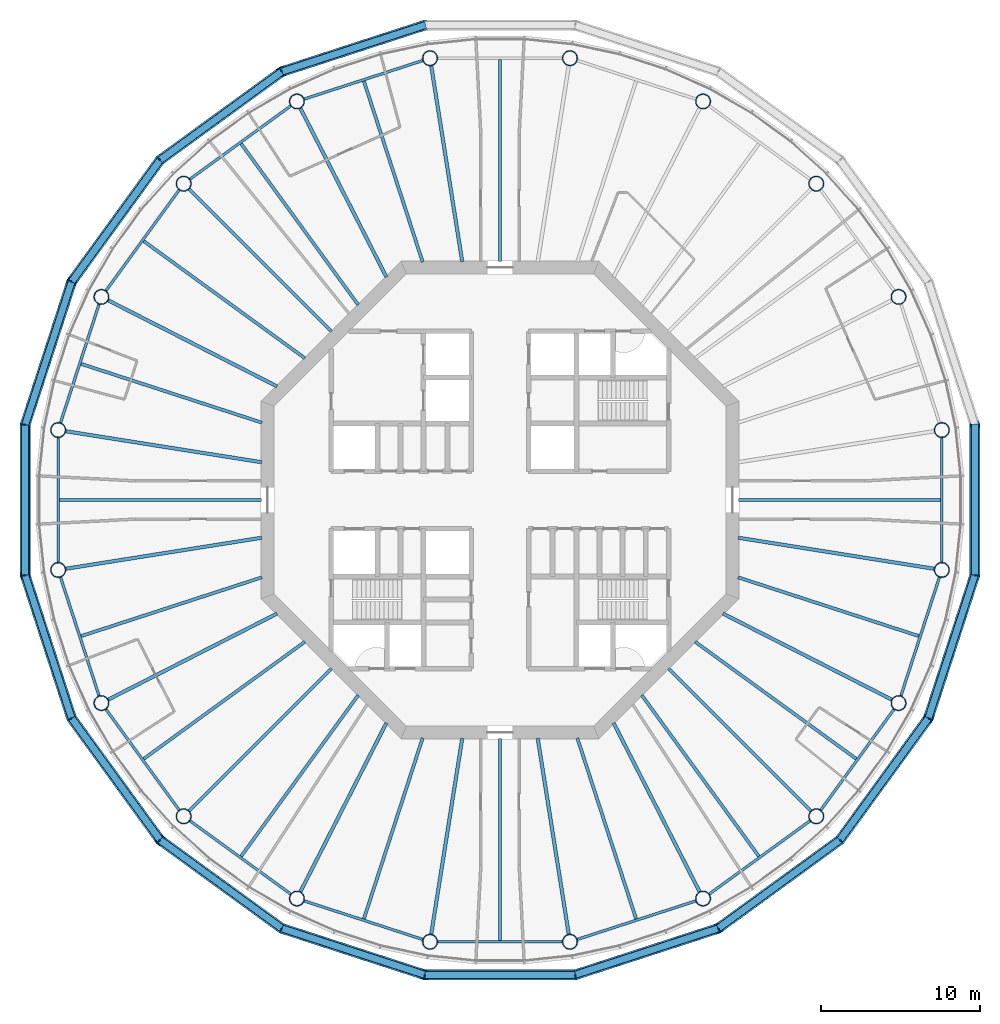
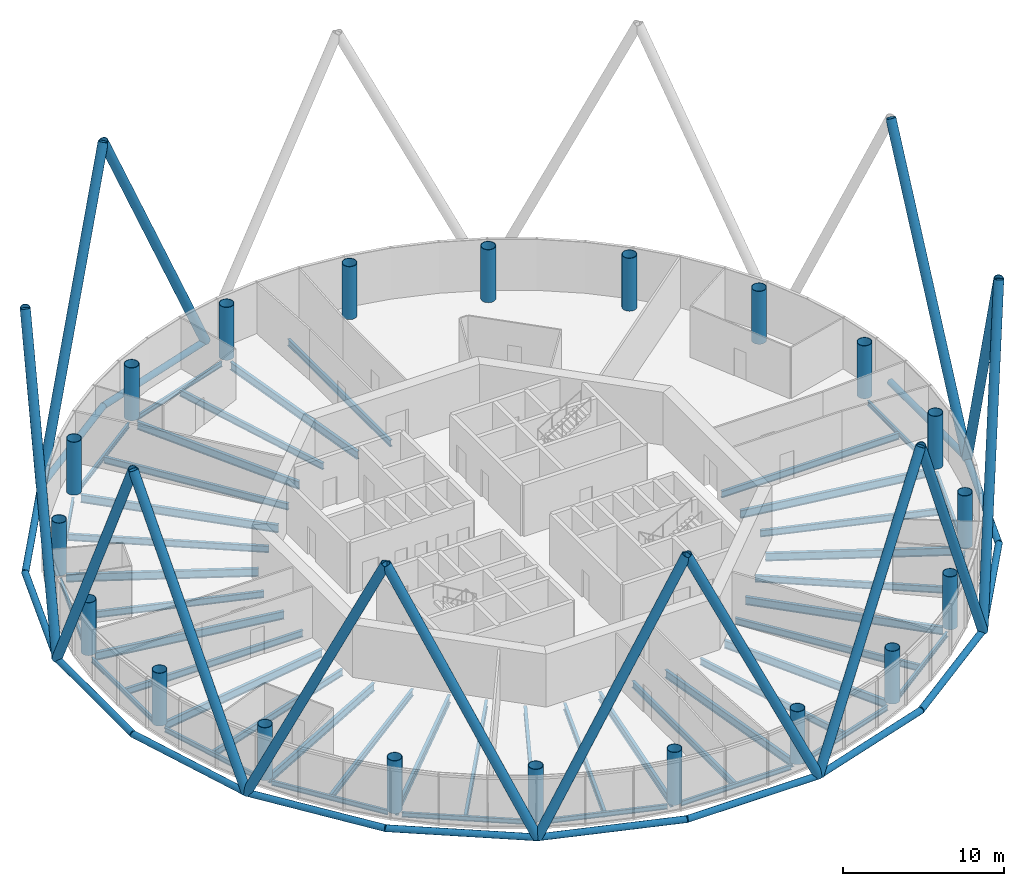
# One storey, part 1 of 13: 46 beams, 30 members, 20 columns.
"""IFC4 building model written with IfcOpenShell, lengths in metres."""

import ifcopenshell
import ifcopenshell.guid

model = None  # the IFC model being written
_history = None  # IfcOwnerHistory: only IFC2X3 demands one
_inside = {}  # id of a spatial element -> (the spatial element, [elements in it])
_under = {}  # id of a project, library or spatial element -> (it, [spatial elements below it])
_declared = {}  # id of a project -> (the project, [libraries it declares])
_typed = {}  # id of a type object -> (the type object, [elements of that type])
_made_of = {}  # id of a material, layer set ... -> (it, [elements and type objects made of it])


def new_model(schema):
    """Start an empty IFC model of exactly this schema.

    Asked for "IFC4X3", IfcOpenShell would pick the latest addendum, in which some entities
    have other attributes; the version numbers below select the first issue.
    IFC2X3 requires an IfcOwnerHistory on every rooted entity: one is made here for all.
    """
    global model, _history
    if schema == "IFC4X3":
        model = ifcopenshell.file(schema_version=(4, 3, 0, 0))
    else:
        model = ifcopenshell.file(schema=schema)
    _inside.clear()
    _under.clear()
    _declared.clear()
    _typed.clear()
    _made_of.clear()
    _history = None
    if model.schema == "IFC2X3":
        org = make("IfcOrganization", Name="unknown")
        user = make(
            "IfcPersonAndOrganization",
            ThePerson=make("IfcPerson", FamilyName="unknown"),
            TheOrganization=org,
        )
        app = make(
            "IfcApplication",
            ApplicationDeveloper=org,
            Version="unknown",
            ApplicationFullName="unknown",
            ApplicationIdentifier="unknown",
        )
        _history = make(
            "IfcOwnerHistory",
            OwningUser=user,
            OwningApplication=app,
            ChangeAction="ADDED",
            CreationDate=0,
        )
    return model


def make(cls, **values):
    """One entity of the class cls with the attributes given. An attribute that is None is left unset."""
    return model.create_entity(
        cls, **{name: value for name, value in values.items() if value is not None}
    )


def rooted(cls, **values):
    """An entity with a GlobalId (a new one), such as an element, a storey or a relation."""
    return make(cls, GlobalId=ifcopenshell.guid.new(), OwnerHistory=_history, **values)


def si_unit(unit_type, name, prefix=None):
    """IfcSIUnit, for example si_unit("LENGTHUNIT", "METRE", prefix="MILLI")."""
    return make("IfcSIUnit", UnitType=unit_type, Prefix=prefix, Name=name)


def assignment(units):
    """IfcUnitAssignment: the units of a project."""
    return None if units is None else make("IfcUnitAssignment", Units=units)


def point(xyz):
    """IfcCartesianPoint."""
    return None if xyz is None else make("IfcCartesianPoint", Coordinates=xyz)


def direction(xyz):
    """IfcDirection."""
    return None if xyz is None else make("IfcDirection", DirectionRatios=xyz)


def frame(location, z_axis=None, x_axis=None):
    """IfcAxis2Placement3D, a coordinate frame: its origin and axes. An axis left out is left unset."""
    return make(
        "IfcAxis2Placement3D",
        Location=point(location),
        Axis=direction(z_axis),
        RefDirection=direction(x_axis),
    )


def frame_2d(location, x_axis=None):
    """IfcAxis2Placement2D, a coordinate frame in the plane: its origin and x axis."""
    return make(
        "IfcAxis2Placement2D", Location=point(location), RefDirection=direction(x_axis)
    )


def origin():
    """The frame at (0, 0, 0) with its axes left unset."""
    return frame((0.0, 0.0, 0.0))


def origin_2d():
    """The frame at (0, 0) in the plane with its x axis left unset."""
    return frame_2d((0.0, 0.0))


def place(relative_to, where):
    """IfcLocalPlacement: puts the frame where relative to a parent placement (None: the world)."""
    return make(
        "IfcLocalPlacement", PlacementRelTo=relative_to, RelativePlacement=where
    )


def context(
    kind, dimensions, precision=None, world=None, true_north=None, identifier=None
):
    """IfcGeometricRepresentationContext, for example the 3D "Model" context."""
    return make(
        "IfcGeometricRepresentationContext",
        ContextIdentifier=identifier,
        ContextType=kind,
        CoordinateSpaceDimension=dimensions,
        Precision=precision,
        WorldCoordinateSystem=world,
        TrueNorth=true_north,
    )


def subcontext(parent, identifier, kind, view, scale=None):
    """IfcGeometricRepresentationSubContext, for example "Body" below "Model"."""
    return make(
        "IfcGeometricRepresentationSubContext",
        ContextIdentifier=identifier,
        ContextType=kind,
        ParentContext=parent,
        TargetScale=scale,
        TargetView=view,
    )


def project(units=None, contexts=None):
    """IfcProject with its units and contexts."""
    return rooted(
        "IfcProject",
        Name="project",
        RepresentationContexts=contexts,
        UnitsInContext=assignment(units),
    )


def spatial(cls, under=None, at=None, **own):
    """A site, building, storey or space (cls), placed at a placement, below another one or the project."""
    s = rooted(cls, ObjectPlacement=at, **own)
    if under is not None:
        _under.setdefault(under.id(), (under, []))[1].append(s)
    return s


def profile(cls, at=None, kind="AREA", **sizes):
    """A parametric profile (cls). Its sizes go by their IFC names, for example OverallWidth=200.0."""
    return make(cls, ProfileType=kind, Position=at, **sizes)


def circle(**sizes):
    """IfcCircleProfileDef."""
    return profile("IfcCircleProfileDef", **sizes)


def hollow_circle(**sizes):
    """IfcCircleHollowProfileDef."""
    return profile("IfcCircleHollowProfileDef", **sizes)


def i_section(**sizes):
    """IfcIShapeProfileDef."""
    return profile("IfcIShapeProfileDef", **sizes)


def extrude(swept, where, along, depth):
    """IfcExtrudedAreaSolid: the profile swept, set in the frame where, extruded along a direction by depth."""
    return make(
        "IfcExtrudedAreaSolid",
        SweptArea=swept,
        Position=where,
        ExtrudedDirection=direction(along),
        Depth=depth,
    )


def shape(context_of_items, identifier, shape_type, items):
    """IfcShapeRepresentation: the items that make up one representation, for example the "Body"."""
    return make(
        "IfcShapeRepresentation",
        ContextOfItems=context_of_items,
        RepresentationIdentifier=identifier,
        RepresentationType=shape_type,
        Items=items,
    )


def material(Name=None, Category=None):
    """IfcMaterial."""
    return make("IfcMaterial", Name=Name, Category=Category)


def material_profile(
    of_material, cross_section, Name=None, Category=None, Priority=None
):
    """IfcMaterialProfile: a cross section and its material."""
    return make(
        "IfcMaterialProfile",
        Name=Name,
        Material=of_material,
        Profile=cross_section,
        Priority=Priority,
        Category=Category,
    )


def profile_set(profiles, Name=None, composite=None):
    """IfcMaterialProfileSet."""
    return make(
        "IfcMaterialProfileSet",
        Name=Name,
        MaterialProfiles=profiles,
        CompositeProfile=composite,
    )


def made_of(thing, what):
    """Note that an element or type object is made of a material, layer set ...; save() writes the relation."""
    if what is not None:
        _made_of.setdefault(what.id(), (what, []))[1].append(thing)
    return thing


def type_object(cls, material=None, **own):
    """A type object (cls), such as IfcWallType, which elements share."""
    return made_of(rooted(cls, **own), material)


def element(
    cls,
    number,
    at=None,
    inside=None,
    cuts=None,
    type_object=None,
    material=None,
    context=None,
    identifier="Body",
    shape_type=None,
    held_by="IfcProductDefinitionShape",
    body=None,
    shapes=None,
    **own,
):
    """One element of the class cls, such as IfcWall. Its Tag is "e" and its number.

    at: its placement. inside: the storey or other place that contains it. cuts: it is an
    opening in that element (IfcRelVoidsElement). A single representation is given by context,
    identifier, shape_type and body (its items); several are given by shapes. held_by: the class
    of the entity that holds the representations. save() writes the other relations.
    """
    e = rooted(cls, Tag="e%d" % number, ObjectPlacement=at, **own)
    if body is not None:
        shapes = [shape(context, identifier, shape_type, body)]
    if shapes is not None:
        e.Representation = make(held_by, Representations=shapes)
    if inside is not None:
        _inside.setdefault(inside.id(), (inside, []))[1].append(e)
    if cuts is not None:
        rooted(
            "IfcRelVoidsElement", RelatingBuildingElement=cuts, RelatedOpeningElement=e
        )
    if type_object is not None:
        _typed.setdefault(type_object.id(), (type_object, []))[1].append(e)
    return made_of(e, material)


def aggregate(whole, parts):
    """IfcRelAggregates: a whole, such as a stair, and the parts it consists of."""
    return rooted("IfcRelAggregates", RelatingObject=whole, RelatedObjects=parts)


def save(model, path):
    """Write the relations noted so far, then the file.

    IfcRelAggregates (storeys below a building ...), IfcRelContainedInSpatialStructure (elements
    in a storey), IfcRelDefinesByType, IfcRelAssociatesMaterial and IfcRelDeclares: one each for
    every whole, place, type object, material and project.
    """
    for whole, parts in _under.values():
        aggregate(whole, parts)
    for where, things in _inside.values():
        rooted(
            "IfcRelContainedInSpatialStructure",
            RelatedElements=things,
            RelatingStructure=where,
        )
    for kind, things in _typed.values():
        rooted("IfcRelDefinesByType", RelatedObjects=things, RelatingType=kind)
    for what, things in _made_of.values():
        rooted("IfcRelAssociatesMaterial", RelatedObjects=things, RelatingMaterial=what)
    for by, libraries in _declared.values():
        rooted("IfcRelDeclares", RelatingContext=by, RelatedDefinitions=libraries)
    model.write(path)


model = new_model("IFC4")

# Units and contexts
model_context = context("Model", 3, precision=1e-05, world=origin(), true_north=direction((0.0, 1.0)))
body_context = subcontext(model_context, "Body", "Model", "MODEL_VIEW")
ifc_project = project(units=[si_unit("LENGTHUNIT", "METRE"), si_unit("AREAUNIT", "SQUARE_METRE"), si_unit("VOLUMEUNIT", "CUBIC_METRE"), si_unit("PLANEANGLEUNIT", "RADIAN"), si_unit("MASSUNIT", "GRAM", prefix="KILO")], contexts=[model_context])

# Site, building, storey
site_placement = place(None, origin())
site = spatial("IfcSite", under=ifc_project, at=site_placement, CompositionType="ELEMENT")
building_placement = place(site_placement, origin())
building = spatial("IfcBuilding", under=site, at=building_placement, Name="Entoto Ring Tower", CompositionType="ELEMENT")
storey_placement = place(building_placement, frame((0.0, 0.0, 310.0)))
storey = spatial("IfcBuildingStorey", under=building, at=storey_placement, Name="L71", CompositionType="ELEMENT", Elevation=310.0)

# Columns
ifc_material_1 = material(Name="Steel S355", Category="steel")
ifc_material_profile_1 = material_profile(ifc_material_1, hollow_circle(Radius=0.47509765625, WallThickness=0.034912109375, at=origin_2d()), Name="CHS 950 x 35")
ifc_material_2 = material(Name="Concrete C60/75", Category="concrete")
ifc_material_profile_2 = material_profile(ifc_material_2, circle(Radius=0.43994140625, at=origin_2d()), Name="Concrete C60/75 infill")
ifc_profile_set_1 = profile_set([ifc_material_profile_1, ifc_material_profile_2], Name="Steel S355")
column_type = type_object("IfcColumnType", Name="Ring column 950 x 35 concrete-filled tube", PredefinedType="COLUMN", material=ifc_profile_set_1)
for number, where, z_axis, x_axis, name in (
    (1, (117.754150390625, 84.395751953125, 0.0), (0.0, 0.0, 1.0), (1.0, 0.0, 0.0), "RC5 R01"),
    (2, (115.037353515625, 92.757080078125, 0.0), (0.0, 0.0, 1.0), (1.0, 0.0, 0.0), "RC5 R02"),
    (3, (109.86962890625, 99.86962890625, 0.0), (0.0, 0.0, 1.0), (1.0, 0.0, 0.0), "RC5 R03"),
    (4, (102.757080078125, 105.037353515625, 0.0), (0.0, 0.0, 1.0), (1.0, 0.0, 0.0), "RC5 R04"),
    (5, (94.395751953125, 107.754150390625, 0.0), (0.0, 0.0, 1.0), (1.0, 0.0, 0.0), "RC5 R05"),
    (6, (85.604248046875, 107.754150390625, 0.0), (0.0, 0.0, 1.0), (1.0, 0.0, 0.0), "RC5 R06"),
    (7, (77.242919921875, 105.037353515625, 0.0), (0.0, 0.0, 1.0), (1.0, 0.0, 0.0), "RC5 R07"),
    (8, (70.13037109375, 99.86962890625, 0.0), (0.0, 0.0, 1.0), (1.0, 0.0, 0.0), "RC5 R08"),
    (9, (64.962646484375, 92.757080078125, 0.0), (0.0, 0.0, 1.0), (1.0, 0.0, 0.0), "RC5 R09"),
    (10, (62.245849609375, 84.395751953125, 0.0), (0.0, 0.0, 1.0), (1.0, 0.0, 0.0), "RC5 R10"),
    (11, (62.245849609375, 75.604248046875, 0.0), (0.0, 0.0, 1.0), (1.0, 0.0, 0.0), "RC5 R11"),
    (12, (64.962646484375, 67.242919921875, 0.0), (0.0, 0.0, 1.0), (1.0, 0.0, 0.0), "RC5 R12"),
    (13, (70.13037109375, 60.13037109375, 0.0), (0.0, 0.0, 1.0), (1.0, 0.0, 0.0), "RC5 R13"),
    (14, (77.242919921875, 54.962646484375, 0.0), (0.0, 0.0, 1.0), (1.0, 0.0, 0.0), "RC5 R14"),
    (15, (85.604248046875, 52.245849609375, 0.0), (0.0, 0.0, 1.0), (1.0, 0.0, 0.0), "RC5 R15"),
    (16, (94.395751953125, 52.245849609375, 0.0), (0.0, 0.0, 1.0), (1.0, 0.0, 0.0), "RC5 R16"),
    (17, (102.757080078125, 54.962646484375, 0.0), (0.0, 0.0, 1.0), (1.0, 0.0, 0.0), "RC5 R17"),
    (18, (109.86962890625, 60.13037109375, 0.0), (0.0, 0.0, 1.0), (1.0, 0.0, 0.0), "RC5 R18"),
    (19, (115.037353515625, 67.242919921875, 0.0), (0.0, 0.0, 1.0), (1.0, 0.0, 0.0), "RC5 R19"),
    (20, (117.754150390625, 75.604248046875, 0.0), (0.0, 0.0, 1.0), (1.0, 0.0, 0.0), "RC5 R20"),
):
    element("IfcColumn", number, at=place(storey_placement, frame(where, z_axis=z_axis, x_axis=x_axis)), inside=storey, type_object=column_type, Name=name, PredefinedType="COLUMN", context=body_context, shape_type="SweptSolid", body=[
        extrude(hollow_circle(Radius=0.47509765625, WallThickness=0.034912109375, at=origin_2d()), origin(), (0.0, 0.0, 1.0), 4.0),
    ])

# Members
ifc_material_3 = material(Name="Steel S355", Category="steel")
ifc_material_profile_3 = material_profile(ifc_material_3, hollow_circle(Radius=0.324951171875, WallThickness=0.031982421875, at=origin_2d()), Name="CHS 650 x 32")
ifc_material_4 = material(Name="Concrete C60/75", Category="concrete")
ifc_material_profile_4 = material_profile(ifc_material_4, circle(Radius=0.29296875, at=origin_2d()), Name="Concrete C60/75 infill")
ifc_profile_set_2 = profile_set([ifc_material_profile_3, ifc_material_profile_4], Name="Steel S355")
member_type_1 = type_object("IfcMemberType", Name="Diagrid diagonal 650 x 32 concrete-filled tube", PredefinedType="BRACE", material=ifc_profile_set_2)
for number, where, z_axis, x_axis, name in (
    (21, (85.275634765625, 109.828125, 0.0), (-0.406250870943, -0.131995385813, 0.904177774545), (0.309009532745, -0.951058940693, 0.0), "DG6 module 24 06"),
    (22, (68.645263671875, 101.354736328125, 0.0), (0.345588098254, 0.2510759177, 0.904173517582), (-0.587772178061, 0.809026493198, 0.0), "DG6 module 24 07"),
    (23, (68.645263671875, 101.354736328125, 0.0), (-0.2510759177, -0.345588098254, 0.904173517582), (0.809026493198, -0.587772178061, 0.0), "DG6 module 24 08"),
    (24, (60.171875, 84.724365234375, 0.0), (0.131995385813, 0.406250870943, 0.904177774545), (-0.951058940693, 0.309009532745, 0.0), "DG6 module 24 09"),
    (25, (60.171875, 84.724365234375, 0.0), (0.0, -0.427164734279, 0.904173816137), (1.0, 0.0, 0.0), "DG6 module 24 10"),
    (26, (63.091552734375, 66.28955078125, 0.0), (-0.131995385813, 0.406250870943, 0.904177774545), (-0.951058940693, -0.309009532745, 0.0), "DG6 module 24 11"),
    (27, (63.091552734375, 66.28955078125, 0.0), (0.2510759177, -0.345588098254, 0.904173517582), (0.809026493198, 0.587772178061, 0.0), "DG6 module 24 12"),
    (28, (76.28955078125, 53.091552734375, 0.0), (-0.345588098254, 0.2510759177, 0.904173517582), (-0.587772178061, -0.809026493198, 0.0), "DG6 module 24 13"),
    (29, (76.28955078125, 53.091552734375, 0.0), (0.406250870943, -0.131995385813, 0.904177774545), (0.309009532745, 0.951058940693, 0.0), "DG6 module 24 14"),
    (30, (94.724365234375, 50.171875, 0.0), (-0.427164734279, 0.0, 0.904173816137), (0.0, -1.0, 0.0), "DG6 module 24 15"),
    (31, (94.724365234375, 50.171875, 0.0), (0.406250870943, 0.131995385813, 0.904177774545), (-0.309009532745, 0.951058940693, 0.0), "DG6 module 24 16"),
    (32, (111.354736328125, 58.645263671875, 0.0), (-0.345588098254, -0.2510759177, 0.904173517582), (0.587772178061, -0.809026493198, 0.0), "DG6 module 24 17"),
    (33, (111.354736328125, 58.645263671875, 0.0), (0.2510759177, 0.345588098254, 0.904173517582), (-0.809026493198, 0.587772178061, 0.0), "DG6 module 24 18"),
    (34, (119.828125, 75.275634765625, 0.0), (-0.131995385813, -0.406250870943, 0.904177774545), (0.951058940693, -0.309009532745, 0.0), "DG6 module 24 19"),
    (35, (119.828125, 75.275634765625, 0.0), (0.0, 0.427164734279, 0.904173816137), (-1.0, 0.0, 0.0), "DG6 module 24 20"),
):
    element("IfcMember", number, at=place(storey_placement, frame(where, z_axis=z_axis, x_axis=x_axis)), inside=storey, type_object=member_type_1, Name=name, PredefinedType="BRACE", context=body_context, shape_type="SweptSolid", body=[
        extrude(hollow_circle(Radius=0.324951171875, WallThickness=0.031982421875, at=origin_2d()), origin(), (0.0, 0.0, 1.0), 22.11962890625),
    ])
ifc_material_5 = material(Name="Steel S355", Category="steel")
ifc_material_profile_5 = material_profile(ifc_material_5, hollow_circle(Radius=0.228515625, WallThickness=0.02001953125, at=origin_2d()), Name="CHS 457 x 20")
ifc_material_6 = material(Name="Concrete C60/75", Category="concrete")
ifc_material_profile_6 = material_profile(ifc_material_6, circle(Radius=0.20849609375, at=origin_2d()), Name="Concrete C60/75 infill")
ifc_profile_set_3 = profile_set([ifc_material_profile_5, ifc_material_profile_6], Name="Steel S355")
member_type_2 = type_object("IfcMemberType", Name="Diagrid ring beam 457 x 20", PredefinedType="CHORD", material=ifc_profile_set_3)
for number, where, z_axis, x_axis, name in (
    (36, (85.3291015625, 109.845458984375, 0.0), (-0.951061274764, -0.309002348931, 0.0), (0.309002348931, -0.951061274764, 0.0), "DR3 ring 23 05"),
    (37, (76.3349609375, 106.94140625, 0.0), (-0.809017564037, -0.587784468219, 0.0), (0.587784468219, -0.809017564037, 0.0), "DR3 ring 23 06"),
    (38, (68.678466796875, 101.400146484375, 0.0), (-0.587784468219, -0.809017564037, 0.0), (0.809017564037, -0.587784468219, 0.0), "DR3 ring 23 07"),
    (39, (63.10888671875, 93.763916015625, 0.0), (-0.309002348931, -0.951061274764, 0.0), (0.951061274764, -0.309002348931, 0.0), "DR3 ring 23 08"),
    (40, (60.171875, 84.780517578125, 0.0), (0.0, -1.0, 0.0), (1.0, 0.0, 0.0), "DR3 ring 23 09"),
    (41, (60.154541015625, 75.3291015625, 0.0), (0.309002348931, -0.951061274764, 0.0), (0.951061274764, 0.309002348931, 0.0), "DR3 ring 23 10"),
    (42, (63.05859375, 66.3349609375, 0.0), (0.587784468219, -0.809017564037, 0.0), (0.809017564037, 0.587784468219, 0.0), "DR3 ring 23 11"),
    (43, (68.599853515625, 58.678466796875, 0.0), (0.809017564037, -0.587784468219, 0.0), (0.587784468219, 0.809017564037, 0.0), "DR3 ring 23 12"),
    (44, (76.236083984375, 53.10888671875, 0.0), (0.951061274764, -0.309002348931, 0.0), (0.309002348931, 0.951061274764, 0.0), "DR3 ring 23 13"),
    (45, (85.219482421875, 50.171875, 0.0), (1.0, 0.0, 0.0), (0.0, 1.0, 0.0), "DR3 ring 23 14"),
    (46, (94.6708984375, 50.154541015625, 0.0), (0.951061274764, 0.309002348931, 0.0), (-0.309002348931, 0.951061274764, 0.0), "DR3 ring 23 15"),
    (47, (103.6650390625, 53.05859375, 0.0), (0.809017564037, 0.587784468219, 0.0), (-0.587784468219, 0.809017564037, 0.0), "DR3 ring 23 16"),
    (48, (111.321533203125, 58.599853515625, 0.0), (0.587784468219, 0.809017564037, 0.0), (-0.809017564037, 0.587784468219, 0.0), "DR3 ring 23 17"),
    (49, (116.89111328125, 66.236083984375, 0.0), (0.309002348931, 0.951061274764, 0.0), (-0.951061274764, 0.309002348931, 0.0), "DR3 ring 23 18"),
    (50, (119.828125, 75.219482421875, 0.0), (0.0, 1.0, 0.0), (-1.0, 0.0, 0.0), "DR3 ring 23 19"),
):
    element("IfcMember", number, at=place(storey_placement, frame(where, z_axis=z_axis, x_axis=x_axis)), inside=storey, type_object=member_type_2, Name=name, PredefinedType="CHORD", context=body_context, shape_type="SweptSolid", body=[
        extrude(hollow_circle(Radius=0.228515625, WallThickness=0.02001953125, at=origin_2d()), origin(), (0.0, 0.0, 1.0), 9.56103515625),
    ])

# Beams
ifc_material_7 = material(Name="Steel S355", Category="steel")
ifc_material_profile_7 = material_profile(ifc_material_7, i_section(OverallWidth=0.169921875, OverallDepth=0.360107421875, WebThickness=0.008056640625, FlangeThickness=0.0126953125, FilletRadius=0.01806640625, at=origin_2d()), Name="IPE 360")
ifc_profile_set_4 = profile_set([ifc_material_profile_7], Name="Steel S355")
beam_type_1 = type_object("IfcBeamType", Name="Edge beam IPE 360", PredefinedType="SPANDREL", material=ifc_profile_set_4)
beam_1_placement = place(storey_placement, frame((85.1787109375, 107.61572265625, -0.330078125), z_axis=(-0.951061101079, -0.309002883506, 0.0), x_axis=(0.309002883506, -0.951061101079, 0.0)))
element("IfcBeam", 51, at=beam_1_placement, inside=storey, type_object=beam_type_1, Name="Edge beam L71 06", PredefinedType="SPANDREL", context=body_context, shape_type="SweptSolid", body=[
    extrude(i_section(OverallWidth=0.169921875, OverallDepth=0.360107421875, WebThickness=0.008056640625, FlangeThickness=0.0126953125, FilletRadius=0.01806640625, at=origin_2d()), origin(), (0.0, 0.0, 1.0), 7.89697265625),
])
for number, where, z_axis, x_axis, name in (
    (52, (76.881103515625, 104.7744140625, -0.330078125), (-0.809015398073, -0.587787449408, 0.0), (0.587787449408, -0.809015398073, 0.0), "Edge beam L71 07"),
    (53, (69.867431640625, 99.5078125, -0.330078125), (-0.587787449408, -0.809015398073, 0.0), (0.809015398073, -0.587787449408, 0.0), "Edge beam L71 08"),
):
    element("IfcBeam", number, at=place(storey_placement, frame(where, z_axis=z_axis, x_axis=x_axis)), inside=storey, type_object=beam_type_1, Name=name, PredefinedType="SPANDREL", context=body_context, shape_type="SweptSolid", body=[
        extrude(i_section(OverallWidth=0.169921875, OverallDepth=0.360107421875, WebThickness=0.008056640625, FlangeThickness=0.0126953125, FilletRadius=0.01806640625, at=origin_2d()), origin(), (0.0, 0.0, 1.0), 7.897216796875),
    ])
for number, where, z_axis, x_axis, name in (
    (54, (64.824462890625, 92.331787109375, -0.330078125), (-0.309002883506, -0.951061101079, 0.0), (0.951061101079, -0.309002883506, 0.0), "Edge beam L71 09"),
    (55, (62.245849609375, 83.948486328125, -0.330078125), (0.0, -1.0, 0.0), (1.0, 0.0, 0.0), "Edge beam L71 10"),
    (56, (62.38427734375, 75.1787109375, -0.330078125), (0.309002883506, -0.951061101079, 0.0), (0.951061101079, 0.309002883506, 0.0), "Edge beam L71 11"),
):
    element("IfcBeam", number, at=place(storey_placement, frame(where, z_axis=z_axis, x_axis=x_axis)), inside=storey, type_object=beam_type_1, Name=name, PredefinedType="SPANDREL", context=body_context, shape_type="SweptSolid", body=[
        extrude(i_section(OverallWidth=0.169921875, OverallDepth=0.360107421875, WebThickness=0.008056640625, FlangeThickness=0.0126953125, FilletRadius=0.01806640625, at=origin_2d()), origin(), (0.0, 0.0, 1.0), 7.89697265625),
    ])
for number, where, z_axis, x_axis, name in (
    (57, (65.2255859375, 66.881103515625, -0.330078125), (0.587787449408, -0.809015398073, 0.0), (0.809015398073, 0.587787449408, 0.0), "Edge beam L71 12"),
    (58, (70.4921875, 59.867431640625, -0.330078125), (0.809015398073, -0.587787449408, 0.0), (0.587787449408, 0.809015398073, 0.0), "Edge beam L71 13"),
):
    element("IfcBeam", number, at=place(storey_placement, frame(where, z_axis=z_axis, x_axis=x_axis)), inside=storey, type_object=beam_type_1, Name=name, PredefinedType="SPANDREL", context=body_context, shape_type="SweptSolid", body=[
        extrude(i_section(OverallWidth=0.169921875, OverallDepth=0.360107421875, WebThickness=0.008056640625, FlangeThickness=0.0126953125, FilletRadius=0.01806640625, at=origin_2d()), origin(), (0.0, 0.0, 1.0), 7.897216796875),
    ])
for number, where, z_axis, x_axis, name in (
    (59, (77.668212890625, 54.824462890625, -0.330078125), (0.951061101079, -0.309002883506, 0.0), (0.309002883506, 0.951061101079, 0.0), "Edge beam L71 14"),
    (60, (86.051513671875, 52.245849609375, -0.330078125), (1.0, 0.0, 0.0), (0.0, 1.0, 0.0), "Edge beam L71 15"),
    (61, (94.8212890625, 52.38427734375, -0.330078125), (0.951061101079, 0.309002883506, 0.0), (-0.309002883506, 0.951061101079, 0.0), "Edge beam L71 16"),
):
    element("IfcBeam", number, at=place(storey_placement, frame(where, z_axis=z_axis, x_axis=x_axis)), inside=storey, type_object=beam_type_1, Name=name, PredefinedType="SPANDREL", context=body_context, shape_type="SweptSolid", body=[
        extrude(i_section(OverallWidth=0.169921875, OverallDepth=0.360107421875, WebThickness=0.008056640625, FlangeThickness=0.0126953125, FilletRadius=0.01806640625, at=origin_2d()), origin(), (0.0, 0.0, 1.0), 7.89697265625),
    ])
for number, where, z_axis, x_axis, name in (
    (62, (103.118896484375, 55.2255859375, -0.330078125), (0.809015398073, 0.587787449408, 0.0), (-0.587787449408, 0.809015398073, 0.0), "Edge beam L71 17"),
    (63, (110.132568359375, 60.4921875, -0.330078125), (0.587787449408, 0.809015398073, 0.0), (-0.809015398073, 0.587787449408, 0.0), "Edge beam L71 18"),
):
    element("IfcBeam", number, at=place(storey_placement, frame(where, z_axis=z_axis, x_axis=x_axis)), inside=storey, type_object=beam_type_1, Name=name, PredefinedType="SPANDREL", context=body_context, shape_type="SweptSolid", body=[
        extrude(i_section(OverallWidth=0.169921875, OverallDepth=0.360107421875, WebThickness=0.008056640625, FlangeThickness=0.0126953125, FilletRadius=0.01806640625, at=origin_2d()), origin(), (0.0, 0.0, 1.0), 7.897216796875),
    ])
for number, where, z_axis, x_axis, name in (
    (64, (115.175537109375, 67.668212890625, -0.330078125), (0.309002883506, 0.951061101079, 0.0), (-0.951061101079, 0.309002883506, 0.0), "Edge beam L71 19"),
    (65, (117.754150390625, 76.051513671875, -0.330078125), (0.0, 1.0, 0.0), (-1.0, 0.0, 0.0), "Edge beam L71 20"),
):
    element("IfcBeam", number, at=place(storey_placement, frame(where, z_axis=z_axis, x_axis=x_axis)), inside=storey, type_object=beam_type_1, Name=name, PredefinedType="SPANDREL", context=body_context, shape_type="SweptSolid", body=[
        extrude(i_section(OverallWidth=0.169921875, OverallDepth=0.360107421875, WebThickness=0.008056640625, FlangeThickness=0.0126953125, FilletRadius=0.01806640625, at=origin_2d()), origin(), (0.0, 0.0, 1.0), 7.89697265625),
    ])
ifc_material_8 = material(Name="Steel S355", Category="steel")
ifc_material_profile_8 = material_profile(ifc_material_8, i_section(OverallWidth=0.219970703125, OverallDepth=0.60009765625, WebThickness=0.011962890625, FlangeThickness=0.01904296875, FilletRadius=0.02392578125, at=origin_2d()), Name="IPE 600")
ifc_profile_set_5 = profile_set([ifc_material_profile_8], Name="Steel S355")
beam_type_2 = type_object("IfcBeamType", Name="Primary floor beam IPE 600", PredefinedType="BEAM", material=ifc_profile_set_5)
beam_2_placement = place(storey_placement, frame((87.630126953125, 94.963134765625, -0.449951171875), z_axis=(-0.156439647277, 0.987687519796, 0.0), x_axis=(-0.987687519796, -0.156439647277, 0.0)))
element("IfcBeam", 66, at=beam_2_placement, inside=storey, type_object=beam_type_2, Name="Primary L71 R06", PredefinedType="BEAM", context=body_context, shape_type="SweptSolid", body=[
    extrude(i_section(OverallWidth=0.219970703125, OverallDepth=0.60009765625, WebThickness=0.011962890625, FlangeThickness=0.01904296875, FilletRadius=0.02392578125, at=origin_2d()), origin(), (0.0, 0.0, 1.0), 12.50830078125),
])
beam_3_placement = place(storey_placement, frame((82.864990234375, 94.003173828125, -0.449951171875), z_axis=(-0.453988257638, 0.891007666593, 0.0), x_axis=(-0.891007666593, -0.453988257638, 0.0)))
element("IfcBeam", 67, at=beam_3_placement, inside=storey, type_object=beam_type_2, Name="Primary L71 R07", PredefinedType="BEAM", context=body_context, shape_type="SweptSolid", body=[
    extrude(i_section(OverallWidth=0.219970703125, OverallDepth=0.60009765625, WebThickness=0.011962890625, FlangeThickness=0.01904296875, FilletRadius=0.02392578125, at=origin_2d()), origin(), (0.0, 0.0, 1.0), 11.941650390625),
])
beam_4_placement = place(storey_placement, frame((79.407470703125, 90.592529296875, -0.449951171875), z_axis=(-0.707106781187, 0.707106781187, 0.0), x_axis=(-0.707106781187, -0.707106781187, 0.0)))
element("IfcBeam", 68, at=beam_4_placement, inside=storey, type_object=beam_type_2, Name="Primary L71 R08", PredefinedType="BEAM", context=body_context, shape_type="SweptSolid", body=[
    extrude(i_section(OverallWidth=0.219970703125, OverallDepth=0.60009765625, WebThickness=0.011962890625, FlangeThickness=0.01904296875, FilletRadius=0.02392578125, at=origin_2d()), origin(), (0.0, 0.0, 1.0), 12.677978515625),
])
beam_5_placement = place(storey_placement, frame((75.996826171875, 87.135009765625, -0.449951171875), z_axis=(-0.891007666593, 0.453988257638, 0.0), x_axis=(-0.453988257638, -0.891007666593, 0.0)))
element("IfcBeam", 69, at=beam_5_placement, inside=storey, type_object=beam_type_2, Name="Primary L71 R09", PredefinedType="BEAM", context=body_context, shape_type="SweptSolid", body=[
    extrude(i_section(OverallWidth=0.219970703125, OverallDepth=0.60009765625, WebThickness=0.011962890625, FlangeThickness=0.01904296875, FilletRadius=0.02392578125, at=origin_2d()), origin(), (0.0, 0.0, 1.0), 11.941650390625),
])
for number, where, z_axis, x_axis, name in (
    (70, (75.036865234375, 82.369873046875, -0.449951171875), (-0.987687519796, 0.156439647277, 0.0), (-0.156439647277, -0.987687519796, 0.0), "Primary L71 R10"),
    (71, (75.036865234375, 77.630126953125, -0.449951171875), (-0.987687519796, -0.156439647277, 0.0), (0.156439647277, -0.987687519796, 0.0), "Primary L71 R11"),
):
    element("IfcBeam", number, at=place(storey_placement, frame(where, z_axis=z_axis, x_axis=x_axis)), inside=storey, type_object=beam_type_2, Name=name, PredefinedType="BEAM", context=body_context, shape_type="SweptSolid", body=[
        extrude(i_section(OverallWidth=0.219970703125, OverallDepth=0.60009765625, WebThickness=0.011962890625, FlangeThickness=0.01904296875, FilletRadius=0.02392578125, at=origin_2d()), origin(), (0.0, 0.0, 1.0), 12.50830078125),
    ])
beam_6_placement = place(storey_placement, frame((75.996826171875, 72.864990234375, -0.449951171875), z_axis=(-0.891007666593, -0.453988257638, 0.0), x_axis=(0.453988257638, -0.891007666593, 0.0)))
element("IfcBeam", 72, at=beam_6_placement, inside=storey, type_object=beam_type_2, Name="Primary L71 R12", PredefinedType="BEAM", context=body_context, shape_type="SweptSolid", body=[
    extrude(i_section(OverallWidth=0.219970703125, OverallDepth=0.60009765625, WebThickness=0.011962890625, FlangeThickness=0.01904296875, FilletRadius=0.02392578125, at=origin_2d()), origin(), (0.0, 0.0, 1.0), 11.941650390625),
])
beam_7_placement = place(storey_placement, frame((79.407470703125, 69.407470703125, -0.449951171875), z_axis=(-0.707106781187, -0.707106781187, 0.0), x_axis=(0.707106781187, -0.707106781187, 0.0)))
element("IfcBeam", 73, at=beam_7_placement, inside=storey, type_object=beam_type_2, Name="Primary L71 R13", PredefinedType="BEAM", context=body_context, shape_type="SweptSolid", body=[
    extrude(i_section(OverallWidth=0.219970703125, OverallDepth=0.60009765625, WebThickness=0.011962890625, FlangeThickness=0.01904296875, FilletRadius=0.02392578125, at=origin_2d()), origin(), (0.0, 0.0, 1.0), 12.677978515625),
])
beam_8_placement = place(storey_placement, frame((82.864990234375, 65.996826171875, -0.449951171875), z_axis=(-0.453988257638, -0.891007666593, 0.0), x_axis=(0.891007666593, -0.453988257638, 0.0)))
element("IfcBeam", 74, at=beam_8_placement, inside=storey, type_object=beam_type_2, Name="Primary L71 R14", PredefinedType="BEAM", context=body_context, shape_type="SweptSolid", body=[
    extrude(i_section(OverallWidth=0.219970703125, OverallDepth=0.60009765625, WebThickness=0.011962890625, FlangeThickness=0.01904296875, FilletRadius=0.02392578125, at=origin_2d()), origin(), (0.0, 0.0, 1.0), 11.941650390625),
])
for number, where, z_axis, x_axis, name in (
    (75, (87.630126953125, 65.036865234375, -0.449951171875), (-0.156439647277, -0.987687519796, 0.0), (0.987687519796, -0.156439647277, 0.0), "Primary L71 R15"),
    (76, (92.369873046875, 65.036865234375, -0.449951171875), (0.156439647277, -0.987687519796, 0.0), (0.987687519796, 0.156439647277, 0.0), "Primary L71 R16"),
):
    element("IfcBeam", number, at=place(storey_placement, frame(where, z_axis=z_axis, x_axis=x_axis)), inside=storey, type_object=beam_type_2, Name=name, PredefinedType="BEAM", context=body_context, shape_type="SweptSolid", body=[
        extrude(i_section(OverallWidth=0.219970703125, OverallDepth=0.60009765625, WebThickness=0.011962890625, FlangeThickness=0.01904296875, FilletRadius=0.02392578125, at=origin_2d()), origin(), (0.0, 0.0, 1.0), 12.50830078125),
    ])
beam_9_placement = place(storey_placement, frame((97.135009765625, 65.996826171875, -0.449951171875), z_axis=(0.453988257638, -0.891007666593, 0.0), x_axis=(0.891007666593, 0.453988257638, 0.0)))
element("IfcBeam", 77, at=beam_9_placement, inside=storey, type_object=beam_type_2, Name="Primary L71 R17", PredefinedType="BEAM", context=body_context, shape_type="SweptSolid", body=[
    extrude(i_section(OverallWidth=0.219970703125, OverallDepth=0.60009765625, WebThickness=0.011962890625, FlangeThickness=0.01904296875, FilletRadius=0.02392578125, at=origin_2d()), origin(), (0.0, 0.0, 1.0), 11.941650390625),
])
beam_10_placement = place(storey_placement, frame((100.592529296875, 69.407470703125, -0.449951171875), z_axis=(0.707106781187, -0.707106781187, 0.0), x_axis=(0.707106781187, 0.707106781187, 0.0)))
element("IfcBeam", 78, at=beam_10_placement, inside=storey, type_object=beam_type_2, Name="Primary L71 R18", PredefinedType="BEAM", context=body_context, shape_type="SweptSolid", body=[
    extrude(i_section(OverallWidth=0.219970703125, OverallDepth=0.60009765625, WebThickness=0.011962890625, FlangeThickness=0.01904296875, FilletRadius=0.02392578125, at=origin_2d()), origin(), (0.0, 0.0, 1.0), 12.677978515625),
])
beam_11_placement = place(storey_placement, frame((104.003173828125, 72.864990234375, -0.449951171875), z_axis=(0.891007666593, -0.453988257638, 0.0), x_axis=(0.453988257638, 0.891007666593, 0.0)))
element("IfcBeam", 79, at=beam_11_placement, inside=storey, type_object=beam_type_2, Name="Primary L71 R19", PredefinedType="BEAM", context=body_context, shape_type="SweptSolid", body=[
    extrude(i_section(OverallWidth=0.219970703125, OverallDepth=0.60009765625, WebThickness=0.011962890625, FlangeThickness=0.01904296875, FilletRadius=0.02392578125, at=origin_2d()), origin(), (0.0, 0.0, 1.0), 11.941650390625),
])
beam_12_placement = place(storey_placement, frame((104.963134765625, 77.630126953125, -0.449951171875), z_axis=(0.987687519796, -0.156439647277, 0.0), x_axis=(0.156439647277, 0.987687519796, 0.0)))
element("IfcBeam", 80, at=beam_12_placement, inside=storey, type_object=beam_type_2, Name="Primary L71 R20", PredefinedType="BEAM", context=body_context, shape_type="SweptSolid", body=[
    extrude(i_section(OverallWidth=0.219970703125, OverallDepth=0.60009765625, WebThickness=0.011962890625, FlangeThickness=0.01904296875, FilletRadius=0.02392578125, at=origin_2d()), origin(), (0.0, 0.0, 1.0), 12.50830078125),
])
ifc_material_9 = material(Name="Steel S355", Category="steel")
ifc_material_profile_9 = material_profile(ifc_material_9, i_section(OverallWidth=0.199951171875, OverallDepth=0.5, WebThickness=0.01025390625, FlangeThickness=0.01611328125, FilletRadius=0.02099609375, at=origin_2d()), Name="IPE 500")
ifc_profile_set_6 = profile_set([ifc_material_profile_9], Name="Steel S355")
beam_type_3 = type_object("IfcBeamType", Name="Secondary floor beam IPE 500", PredefinedType="JOIST", material=ifc_profile_set_6)
beam_13_placement = place(storey_placement, frame((90.0, 94.97998046875, -0.39990234375), z_axis=(0.0, 1.0, 0.0), x_axis=(-1.0, 0.0, 0.0)))
element("IfcBeam", 81, at=beam_13_placement, inside=storey, type_object=beam_type_3, Name="Secondary beam L71 05", PredefinedType="JOIST", context=body_context, shape_type="SweptSolid", body=[
    extrude(i_section(OverallWidth=0.199951171875, OverallDepth=0.5, WebThickness=0.01025390625, FlangeThickness=0.01611328125, FilletRadius=0.02099609375, at=origin_2d()), origin(), (0.0, 0.0, 1.0), 12.68896484375),
])
beam_14_placement = place(storey_placement, frame((85.142333984375, 94.9501953125, -0.39990234375), z_axis=(-0.30901677521, 0.951056587506, 0.0), x_axis=(-0.951056587506, -0.30901677521, 0.0)))
element("IfcBeam", 82, at=beam_14_placement, inside=storey, type_object=beam_type_3, Name="Secondary beam L71 06", PredefinedType="JOIST", context=body_context, shape_type="SweptSolid", body=[
    extrude(i_section(OverallWidth=0.199951171875, OverallDepth=0.5, WebThickness=0.01025390625, FlangeThickness=0.01611328125, FilletRadius=0.02099609375, at=origin_2d()), origin(), (0.0, 0.0, 1.0), 11.94970703125),
])
for number, where, z_axis, x_axis, name in (
    (83, (81.094482421875, 92.257568359375, -0.39990234375), (-0.587788946436, 0.80901431041, 0.0), (-0.80901431041, -0.587788946436, 0.0), "Secondary beam L71 07"),
    (84, (77.742431640625, 88.905517578125, -0.39990234375), (-0.80901431041, 0.587788946436, 0.0), (-0.587788946436, -0.80901431041, 0.0), "Secondary beam L71 08"),
):
    element("IfcBeam", number, at=place(storey_placement, frame(where, z_axis=z_axis, x_axis=x_axis)), inside=storey, type_object=beam_type_3, Name=name, PredefinedType="JOIST", context=body_context, shape_type="SweptSolid", body=[
        extrude(i_section(OverallWidth=0.199951171875, OverallDepth=0.5, WebThickness=0.01025390625, FlangeThickness=0.01611328125, FilletRadius=0.02099609375, at=origin_2d()), origin(), (0.0, 0.0, 1.0), 12.51806640625),
    ])
beam_15_placement = place(storey_placement, frame((75.0498046875, 84.857666015625, -0.39990234375), z_axis=(-0.951056587506, 0.30901677521, 0.0), x_axis=(-0.30901677521, -0.951056587506, 0.0)))
element("IfcBeam", 85, at=beam_15_placement, inside=storey, type_object=beam_type_3, Name="Secondary beam L71 09", PredefinedType="JOIST", context=body_context, shape_type="SweptSolid", body=[
    extrude(i_section(OverallWidth=0.199951171875, OverallDepth=0.5, WebThickness=0.01025390625, FlangeThickness=0.01611328125, FilletRadius=0.02099609375, at=origin_2d()), origin(), (0.0, 0.0, 1.0), 11.94970703125),
])
beam_16_placement = place(storey_placement, frame((75.02001953125, 80.0, -0.39990234375), z_axis=(-1.0, 0.0, 0.0), x_axis=(0.0, -1.0, 0.0)))
element("IfcBeam", 86, at=beam_16_placement, inside=storey, type_object=beam_type_3, Name="Secondary beam L71 10", PredefinedType="JOIST", context=body_context, shape_type="SweptSolid", body=[
    extrude(i_section(OverallWidth=0.199951171875, OverallDepth=0.5, WebThickness=0.01025390625, FlangeThickness=0.01611328125, FilletRadius=0.02099609375, at=origin_2d()), origin(), (0.0, 0.0, 1.0), 12.68896484375),
])
beam_17_placement = place(storey_placement, frame((75.0498046875, 75.142333984375, -0.39990234375), z_axis=(-0.951056587506, -0.30901677521, 0.0), x_axis=(0.30901677521, -0.951056587506, 0.0)))
element("IfcBeam", 87, at=beam_17_placement, inside=storey, type_object=beam_type_3, Name="Secondary beam L71 11", PredefinedType="JOIST", context=body_context, shape_type="SweptSolid", body=[
    extrude(i_section(OverallWidth=0.199951171875, OverallDepth=0.5, WebThickness=0.01025390625, FlangeThickness=0.01611328125, FilletRadius=0.02099609375, at=origin_2d()), origin(), (0.0, 0.0, 1.0), 11.94970703125),
])
for number, where, z_axis, x_axis, name in (
    (88, (77.742431640625, 71.094482421875, -0.39990234375), (-0.80901431041, -0.587788946436, 0.0), (0.587788946436, -0.80901431041, 0.0), "Secondary beam L71 12"),
    (89, (81.094482421875, 67.742431640625, -0.39990234375), (-0.587788946436, -0.80901431041, 0.0), (0.80901431041, -0.587788946436, 0.0), "Secondary beam L71 13"),
):
    element("IfcBeam", number, at=place(storey_placement, frame(where, z_axis=z_axis, x_axis=x_axis)), inside=storey, type_object=beam_type_3, Name=name, PredefinedType="JOIST", context=body_context, shape_type="SweptSolid", body=[
        extrude(i_section(OverallWidth=0.199951171875, OverallDepth=0.5, WebThickness=0.01025390625, FlangeThickness=0.01611328125, FilletRadius=0.02099609375, at=origin_2d()), origin(), (0.0, 0.0, 1.0), 12.51806640625),
    ])
beam_18_placement = place(storey_placement, frame((85.142333984375, 65.0498046875, -0.39990234375), z_axis=(-0.30901677521, -0.951056587506, 0.0), x_axis=(0.951056587506, -0.30901677521, 0.0)))
element("IfcBeam", 90, at=beam_18_placement, inside=storey, type_object=beam_type_3, Name="Secondary beam L71 14", PredefinedType="JOIST", context=body_context, shape_type="SweptSolid", body=[
    extrude(i_section(OverallWidth=0.199951171875, OverallDepth=0.5, WebThickness=0.01025390625, FlangeThickness=0.01611328125, FilletRadius=0.02099609375, at=origin_2d()), origin(), (0.0, 0.0, 1.0), 11.94970703125),
])
beam_19_placement = place(storey_placement, frame((90.0, 65.02001953125, -0.39990234375), z_axis=(0.0, -1.0, 0.0), x_axis=(1.0, 0.0, 0.0)))
element("IfcBeam", 91, at=beam_19_placement, inside=storey, type_object=beam_type_3, Name="Secondary beam L71 15", PredefinedType="JOIST", context=body_context, shape_type="SweptSolid", body=[
    extrude(i_section(OverallWidth=0.199951171875, OverallDepth=0.5, WebThickness=0.01025390625, FlangeThickness=0.01611328125, FilletRadius=0.02099609375, at=origin_2d()), origin(), (0.0, 0.0, 1.0), 12.68896484375),
])
beam_20_placement = place(storey_placement, frame((94.857666015625, 65.0498046875, -0.39990234375), z_axis=(0.30901677521, -0.951056587506, 0.0), x_axis=(0.951056587506, 0.30901677521, 0.0)))
element("IfcBeam", 92, at=beam_20_placement, inside=storey, type_object=beam_type_3, Name="Secondary beam L71 16", PredefinedType="JOIST", context=body_context, shape_type="SweptSolid", body=[
    extrude(i_section(OverallWidth=0.199951171875, OverallDepth=0.5, WebThickness=0.01025390625, FlangeThickness=0.01611328125, FilletRadius=0.02099609375, at=origin_2d()), origin(), (0.0, 0.0, 1.0), 11.94970703125),
])
for number, where, z_axis, x_axis, name in (
    (93, (98.905517578125, 67.742431640625, -0.39990234375), (0.587788946436, -0.80901431041, 0.0), (0.80901431041, 0.587788946436, 0.0), "Secondary beam L71 17"),
    (94, (102.257568359375, 71.094482421875, -0.39990234375), (0.80901431041, -0.587788946436, 0.0), (0.587788946436, 0.80901431041, 0.0), "Secondary beam L71 18"),
):
    element("IfcBeam", number, at=place(storey_placement, frame(where, z_axis=z_axis, x_axis=x_axis)), inside=storey, type_object=beam_type_3, Name=name, PredefinedType="JOIST", context=body_context, shape_type="SweptSolid", body=[
        extrude(i_section(OverallWidth=0.199951171875, OverallDepth=0.5, WebThickness=0.01025390625, FlangeThickness=0.01611328125, FilletRadius=0.02099609375, at=origin_2d()), origin(), (0.0, 0.0, 1.0), 12.51806640625),
    ])
beam_21_placement = place(storey_placement, frame((104.9501953125, 75.142333984375, -0.39990234375), z_axis=(0.951056587506, -0.30901677521, 0.0), x_axis=(0.30901677521, 0.951056587506, 0.0)))
element("IfcBeam", 95, at=beam_21_placement, inside=storey, type_object=beam_type_3, Name="Secondary beam L71 19", PredefinedType="JOIST", context=body_context, shape_type="SweptSolid", body=[
    extrude(i_section(OverallWidth=0.199951171875, OverallDepth=0.5, WebThickness=0.01025390625, FlangeThickness=0.01611328125, FilletRadius=0.02099609375, at=origin_2d()), origin(), (0.0, 0.0, 1.0), 11.94970703125),
])
beam_22_placement = place(storey_placement, frame((104.97998046875, 80.0, -0.39990234375), z_axis=(1.0, 0.0, 0.0), x_axis=(0.0, 1.0, 0.0)))
element("IfcBeam", 96, at=beam_22_placement, inside=storey, type_object=beam_type_3, Name="Secondary beam L71 20", PredefinedType="JOIST", context=body_context, shape_type="SweptSolid", body=[
    extrude(i_section(OverallWidth=0.199951171875, OverallDepth=0.5, WebThickness=0.01025390625, FlangeThickness=0.01611328125, FilletRadius=0.02099609375, at=origin_2d()), origin(), (0.0, 0.0, 1.0), 12.68896484375),
])

save(model, "model.ifc")
